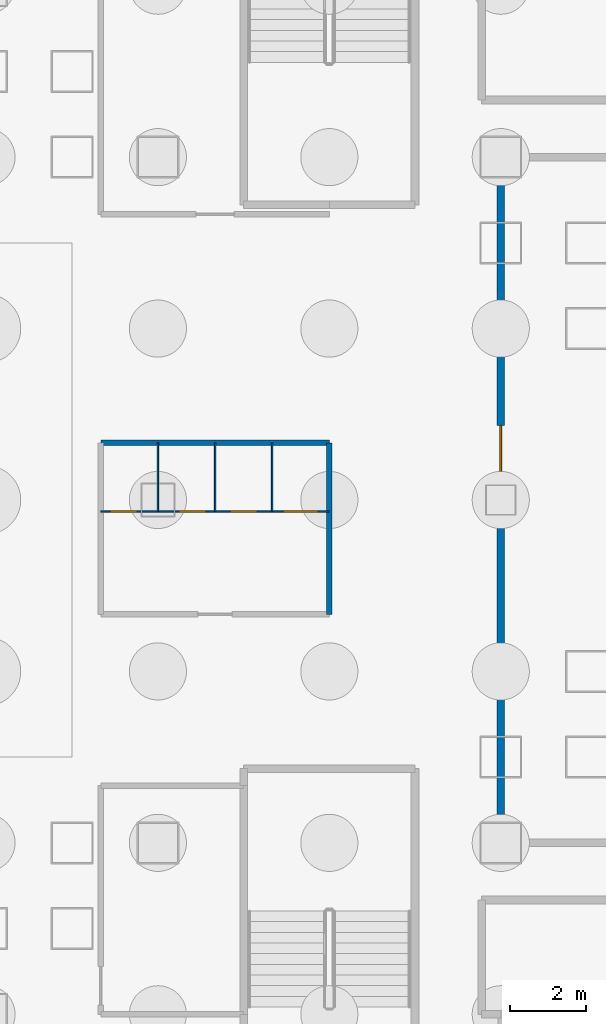
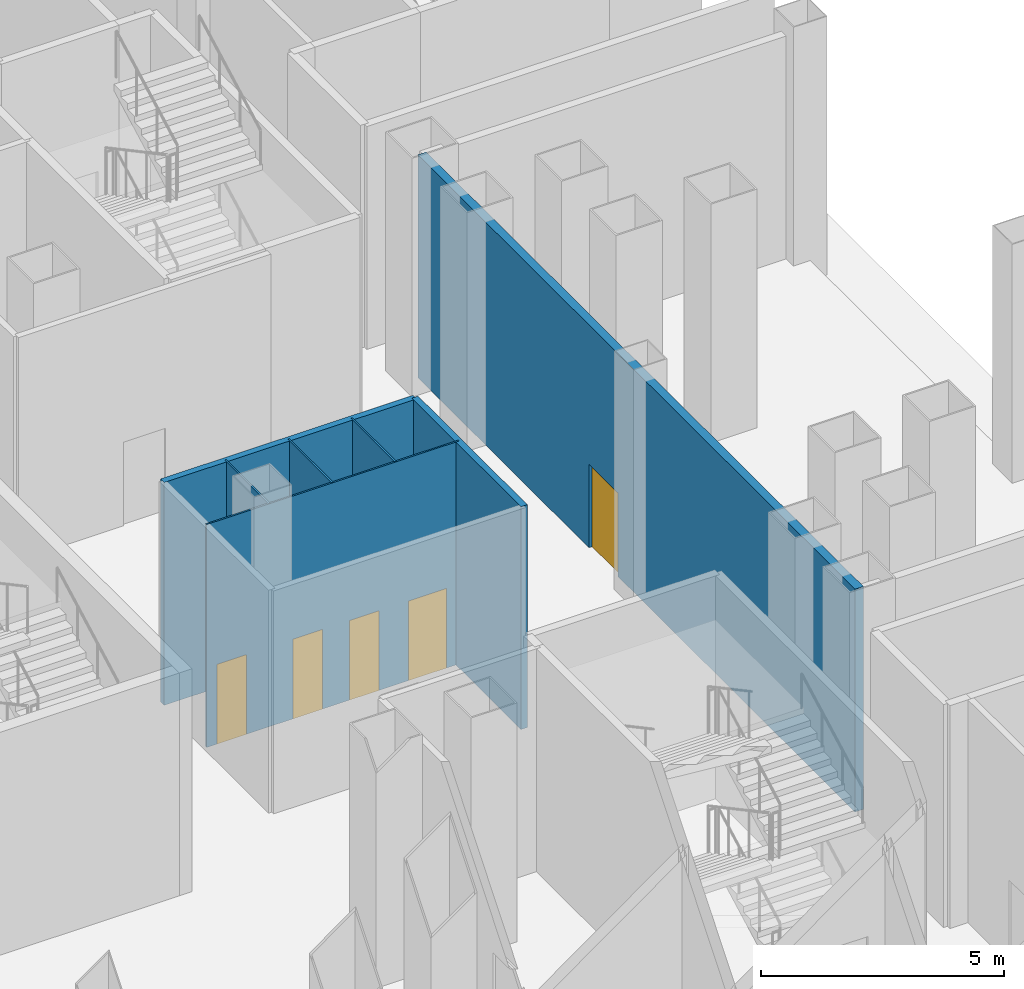
# One storey, part 5 of 25: 7 walls, 5 doors, 5 openings.
"""IFC4 building model written with IfcOpenShell, lengths in metres."""

from ifc_helpers import new_model, si_unit, direction, frame, frame_2d, origin, place, context, subcontext, project, spatial, rectangle, extrude, material, layer, layer_set, type_object, element, fill, save


model = new_model("IFC4")

# Units and contexts
model_context = context("Model", 3, precision=1e-05, world=origin(), true_north=direction((0.0, 1.0)))
body_context = subcontext(model_context, "Body", "Model", "MODEL_VIEW")
ifc_project = project(units=[si_unit("LENGTHUNIT", "METRE"), si_unit("AREAUNIT", "SQUARE_METRE"), si_unit("VOLUMEUNIT", "CUBIC_METRE"), si_unit("PLANEANGLEUNIT", "RADIAN"), si_unit("MASSUNIT", "GRAM", prefix="KILO")], contexts=[model_context])

# Site, building, storey
site_placement = place(None, origin())
site = spatial("IfcSite", under=ifc_project, at=site_placement, CompositionType="ELEMENT")
building_placement = place(site_placement, origin())
building = spatial("IfcBuilding", under=site, at=building_placement, Name="Caravel Reach Hotel and Residences", CompositionType="ELEMENT")
storey_placement = place(building_placement, frame((0.0, 0.0, -6.0)))
storey = spatial("IfcBuildingStorey", under=building, at=storey_placement, Name="B1", CompositionType="ELEMENT", Elevation=-6.0)

# Wall, opening, door
ifc_material_1 = material(Name="Autoclaved aerated block wall")
ifc_layer_1 = layer(ifc_material_1, 0.199951171875)
ifc_layer_set_1 = layer_set([ifc_layer_1], Name="Compartment wall 200 mm EI 120")
wall_type_1 = type_object("IfcWallType", Name="Compartment wall 200 mm EI 120", PredefinedType="PARTITIONING", material=ifc_layer_set_1)
wall_1_placement = place(storey_placement, frame((58.5, 18.0, 0.0), z_axis=(0.0, 0.0, 1.0), x_axis=(0.0, 1.0, 0.0)))
wall_1 = element("IfcWall", 1, at=wall_1_placement, inside=storey, type_object=wall_type_1, Name="B1 wall w080", PredefinedType="PARTITIONING", context=body_context, shape_type="SweptSolid", body=[
    extrude(rectangle(XDim=18.0, YDim=0.199951171875, at=frame_2d((9.0, 0.0))), origin(), (0.0, 0.0, 1.0), 5.60009765625),
])
opening_1_placement = place(wall_1_placement, frame((9.75, 0.0, 0.0)))
opening_1 = element("IfcOpeningElement", 2, at=opening_1_placement, cuts=wall_1, Name="Opening DB1-032", PredefinedType="OPENING", context=body_context, shape_type="SweptSolid", body=[
    extrude(rectangle(XDim=1.199951171875, YDim=2.10009765625, at=frame_2d((0.60009765625, 1.050048828125))), frame((0.0, 0.10986328125, 0.0), z_axis=(0.0, -1.0, 0.0), x_axis=(1.0, 0.0, 0.0)), (0.0, 0.0, 1.0), 0.219970703125),
])
ifc_material_2 = material(Name="Steel fire door leaf", Category="steel")
door_type_1 = type_object("IfcDoorType", Name="Plant room door 1200 x 2100 EI 60", OperationType="SINGLE_SWING_LEFT", PredefinedType="DOOR", material=ifc_material_2)
door_1_placement = place(opening_1_placement, origin())
door_1 = element("IfcDoor", 3, at=door_1_placement, inside=storey, type_object=door_type_1, Name="door DB1-032", OperationType="SINGLE_SWING_RIGHT", OverallHeight=2.10009765625, OverallWidth=1.199951171875, PredefinedType="DOOR", context=body_context, shape_type="SweptSolid", body=[
    extrude(rectangle(XDim=1.199951171875, YDim=2.10009765625, at=frame_2d((0.60009765625, 1.050048828125))), frame((0.0, 0.02490234375, 0.0), z_axis=(0.0, -1.0, 0.0), x_axis=(1.0, 0.0, 0.0)), (0.0, 0.0, 1.0), 0.050048828125),
])
fill(opening_1, door_1)

# Walls
ifc_material_3 = material(Name="Gypsum board on steel stud, fire-rated", Category="steel")
ifc_layer_2 = layer(ifc_material_3, 0.14990234375)
ifc_layer_set_2 = layer_set([ifc_layer_2], Name="Corridor wall 150 mm EI 60")
wall_type_2 = type_object("IfcWallType", Name="Corridor wall 150 mm EI 60", PredefinedType="PARTITIONING", material=ifc_layer_set_2)
wall_2_placement = place(storey_placement, frame((48.0, 28.5, 0.0), z_axis=(0.0, 0.0, 1.0), x_axis=(1.0, 0.0, 0.0)))
element("IfcWall", 4, at=wall_2_placement, inside=storey, type_object=wall_type_2, Name="B1 wall w006", PredefinedType="PARTITIONING", context=body_context, shape_type="SweptSolid", body=[
    extrude(rectangle(XDim=6.0, YDim=0.14990234375, at=frame_2d((3.0, 0.0))), origin(), (0.0, 0.0, 1.0), 5.60009765625),
])
wall_3_placement = place(storey_placement, frame((54.0, 24.0, 0.0), z_axis=(0.0, 0.0, 1.0), x_axis=(0.0, 1.0, 0.0)))
element("IfcWall", 5, at=wall_3_placement, inside=storey, type_object=wall_type_2, Name="B1 wall w024", PredefinedType="PARTITIONING", context=body_context, shape_type="SweptSolid", body=[
    extrude(rectangle(XDim=4.5, YDim=0.14990234375, at=frame_2d((2.25, 0.0))), origin(), (0.0, 0.0, 1.0), 5.60009765625),
])
ifc_material_4 = material(Name="Laminate cubicle panel")
ifc_layer_3 = layer(ifc_material_4, 0.0400390625)
ifc_layer_set_3 = layer_set([ifc_layer_3], Name="WC cubicle partition 40 mm")
wall_type_3 = type_object("IfcWallType", Name="WC cubicle partition 40 mm", PredefinedType="PARTITIONING", material=ifc_layer_set_3)
for number, where, z_axis, x_axis, name in (
    (6, (49.5, 28.5, 0.0), (0.0, 0.0, 1.0), (0.0, -1.0, 0.0), "B1 wall cbr23.d1"),
    (7, (51.0, 28.5, 0.0), (0.0, 0.0, 1.0), (0.0, -1.0, 0.0), "B1 wall cbr23.d2"),
    (8, (52.5, 28.5, 0.0), (0.0, 0.0, 1.0), (0.0, -1.0, 0.0), "B1 wall cbr23.d3"),
):
    element("IfcWall", number, at=place(storey_placement, frame(where, z_axis=z_axis, x_axis=x_axis)), inside=storey, type_object=wall_type_3, Name=name, PredefinedType="PARTITIONING", context=body_context, shape_type="SweptSolid", body=[
        extrude(rectangle(XDim=1.800048828125, YDim=0.0400390625, at=frame_2d((0.89990234375, 0.0))), origin(), (0.0, 0.0, 1.0), 5.60009765625),
    ])

# Wall, openings, doors
wall_4_placement = place(storey_placement, frame((48.0, 26.699951171875, 0.0), z_axis=(0.0, 0.0, 1.0), x_axis=(1.0, 0.0, 0.0)))
wall_4 = element("IfcWall", 9, at=wall_4_placement, inside=storey, type_object=wall_type_3, Name="B1 wall cbr23.f", PredefinedType="PARTITIONING", context=body_context, shape_type="SweptSolid", body=[
    extrude(rectangle(XDim=6.0, YDim=0.0400390625, at=frame_2d((3.0, 0.0))), origin(), (0.0, 0.0, 1.0), 5.60009765625),
])
opening_2_placement = place(wall_4_placement, frame((0.25, 0.0, 0.0)))
opening_2 = element("IfcOpeningElement", 10, at=opening_2_placement, cuts=wall_4, Name="Opening DB1-051", PredefinedType="OPENING", context=body_context, shape_type="SweptSolid", body=[
    extrude(rectangle(XDim=0.699951171875, YDim=2.0, at=frame_2d((0.35009765625, 1.0))), frame((0.0, 0.030029296875, 0.0), z_axis=(0.0, -1.0, 0.0), x_axis=(1.0, 0.0, 0.0)), (0.0, 0.0, 1.0), 0.06005859375),
])
opening_3_placement = place(wall_4_placement, frame((2.050048828125, 0.0, 0.0)))
opening_3 = element("IfcOpeningElement", 11, at=opening_3_placement, cuts=wall_4, Name="Opening DB1-052", PredefinedType="OPENING", context=body_context, shape_type="SweptSolid", body=[
    extrude(rectangle(XDim=0.699951171875, YDim=2.0, at=frame_2d((0.35009765625, 1.0))), frame((0.0, 0.030029296875, 0.0), z_axis=(0.0, -1.0, 0.0), x_axis=(1.0, 0.0, 0.0)), (0.0, 0.0, 1.0), 0.06005859375),
])
opening_4_placement = place(wall_4_placement, frame((3.39990234375, 0.0, 0.0)))
opening_4 = element("IfcOpeningElement", 12, at=opening_4_placement, cuts=wall_4, Name="Opening DB1-053", PredefinedType="OPENING", context=body_context, shape_type="SweptSolid", body=[
    extrude(rectangle(XDim=0.699951171875, YDim=2.0, at=frame_2d((0.35009765625, 1.0))), frame((0.0, 0.030029296875, 0.0), z_axis=(0.0, -1.0, 0.0), x_axis=(1.0, 0.0, 0.0)), (0.0, 0.0, 1.0), 0.06005859375),
])
opening_5_placement = place(wall_4_placement, frame((4.800048828125, 0.0, 0.0)))
opening_5 = element("IfcOpeningElement", 13, at=opening_5_placement, cuts=wall_4, Name="Opening DB1-054", PredefinedType="OPENING", context=body_context, shape_type="SweptSolid", body=[
    extrude(rectangle(XDim=0.89990234375, YDim=2.0, at=frame_2d((0.449951171875, 1.0))), frame((0.0, 0.030029296875, 0.0), z_axis=(0.0, -1.0, 0.0), x_axis=(1.0, 0.0, 0.0)), (0.0, 0.0, 1.0), 0.06005859375),
])
ifc_material_5 = material(Name="Timber and steel door leaf", Category="steel")
door_type_2 = type_object("IfcDoorType", Name="Accessible cubicle door 900 x 2000", OperationType="SINGLE_SWING_LEFT", PredefinedType="DOOR", material=ifc_material_5)
door_2_placement = place(opening_5_placement, origin())
door_2 = element("IfcDoor", 14, at=door_2_placement, inside=storey, type_object=door_type_2, Name="door DB1-054", OperationType="SINGLE_SWING_RIGHT", OverallHeight=2.0, OverallWidth=0.89990234375, PredefinedType="DOOR", context=body_context, shape_type="SweptSolid", body=[
    extrude(rectangle(XDim=0.89990234375, YDim=2.0, at=frame_2d((0.449951171875, 1.0))), frame((0.0, 0.019775390625, 0.0), z_axis=(0.0, -1.0, 0.0), x_axis=(1.0, 0.0, 0.0)), (0.0, 0.0, 1.0), 0.03955078125),
])
fill(opening_5, door_2)
ifc_material_6 = material(Name="Timber and steel door leaf", Category="steel")
door_type_3 = type_object("IfcDoorType", Name="WC cubicle door 700 x 2000", OperationType="SINGLE_SWING_LEFT", PredefinedType="DOOR", material=ifc_material_6)
door_3_placement = place(opening_2_placement, origin())
door_3 = element("IfcDoor", 15, at=door_3_placement, inside=storey, type_object=door_type_3, Name="door DB1-051", OperationType="SINGLE_SWING_LEFT", OverallHeight=2.0, OverallWidth=0.699951171875, PredefinedType="DOOR", context=body_context, shape_type="SweptSolid", body=[
    extrude(rectangle(XDim=0.699951171875, YDim=2.0, at=frame_2d((0.35009765625, 1.0))), frame((0.0, 0.019775390625, 0.0), z_axis=(0.0, -1.0, 0.0), x_axis=(1.0, 0.0, 0.0)), (0.0, 0.0, 1.0), 0.03955078125),
])
fill(opening_2, door_3)
door_4_placement = place(opening_3_placement, origin())
door_4 = element("IfcDoor", 16, at=door_4_placement, inside=storey, type_object=door_type_3, Name="door DB1-052", OperationType="SINGLE_SWING_LEFT", OverallHeight=2.0, OverallWidth=0.699951171875, PredefinedType="DOOR", context=body_context, shape_type="SweptSolid", body=[
    extrude(rectangle(XDim=0.699951171875, YDim=2.0, at=frame_2d((0.35009765625, 1.0))), frame((0.0, 0.019775390625, 0.0), z_axis=(0.0, -1.0, 0.0), x_axis=(1.0, 0.0, 0.0)), (0.0, 0.0, 1.0), 0.03955078125),
])
fill(opening_3, door_4)
door_5_placement = place(opening_4_placement, origin())
door_5 = element("IfcDoor", 17, at=door_5_placement, inside=storey, type_object=door_type_3, Name="door DB1-053", OperationType="SINGLE_SWING_RIGHT", OverallHeight=2.0, OverallWidth=0.699951171875, PredefinedType="DOOR", context=body_context, shape_type="SweptSolid", body=[
    extrude(rectangle(XDim=0.699951171875, YDim=2.0, at=frame_2d((0.35009765625, 1.0))), frame((0.0, 0.019775390625, 0.0), z_axis=(0.0, -1.0, 0.0), x_axis=(1.0, 0.0, 0.0)), (0.0, 0.0, 1.0), 0.03955078125),
])
fill(opening_4, door_5)

save(model, "model.ifc")
